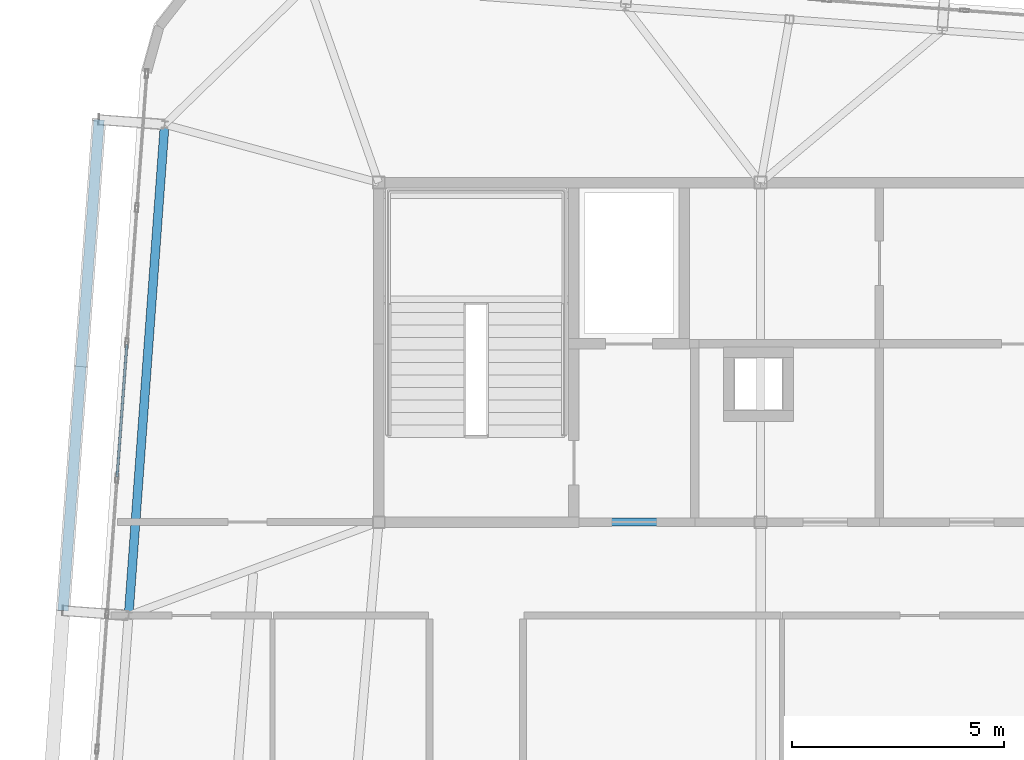
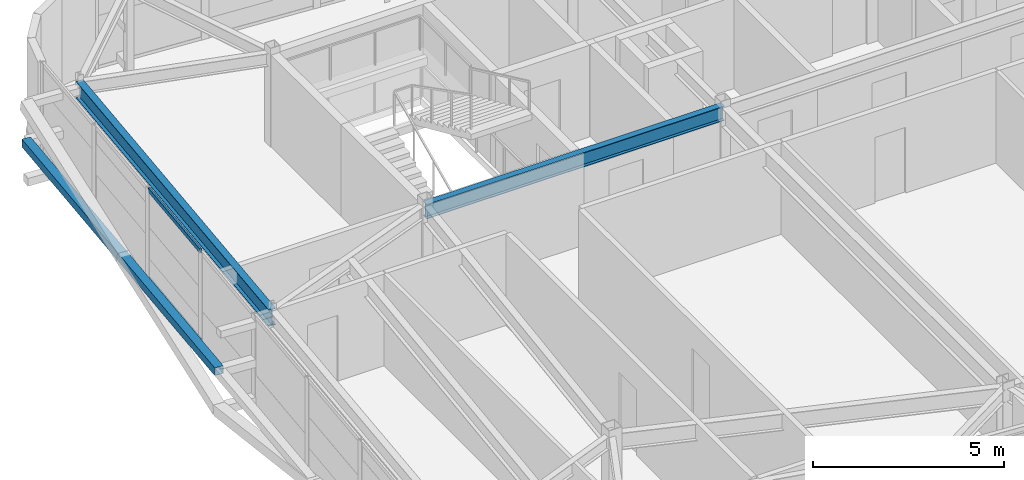
# One storey, part 16 of 42: 3 members, 2 beams, 1 element without a shape of its own.
"""IFC4 building model written with IfcOpenShell, lengths in metres."""

from ifc_helpers import new_model, si_unit, direction, frame, origin, origin_2d, place, context, subcontext, project, spatial, hollow_rectangle, i_section, extrude, source, transform, mapped, material, layer, layer_set, material_profile, profile_set, type_object, element, aggregate, save


model = new_model("IFC4")

# Units and contexts
model_context = context("Model", 3, precision=1e-05, world=origin(), true_north=direction((0.0, 1.0)))
body_context = subcontext(model_context, "Body", "Model", "MODEL_VIEW")
ifc_project = project(units=[si_unit("LENGTHUNIT", "METRE"), si_unit("AREAUNIT", "SQUARE_METRE"), si_unit("VOLUMEUNIT", "CUBIC_METRE"), si_unit("PLANEANGLEUNIT", "RADIAN"), si_unit("MASSUNIT", "GRAM", prefix="KILO")], contexts=[model_context])

# Site, building, storey
site_placement = place(None, origin())
site = spatial("IfcSite", under=ifc_project, at=site_placement, CompositionType="ELEMENT")
building_placement = place(site_placement, origin())
building = spatial("IfcBuilding", under=site, at=building_placement, Name="Taldren Reach Tower", CompositionType="ELEMENT")
storey_placement = place(building_placement, frame((0.0, 0.0, 214.550048828125)))
storey = spatial("IfcBuildingStorey", under=building, at=storey_placement, Name="L65", CompositionType="ELEMENT", Elevation=214.550048828125)

# Beams
ifc_material_1 = material(Name="Steel Gr 350 (350PLUS)", Category="steel")
ifc_material_profile_1 = material_profile(ifc_material_1, i_section(OverallWidth=0.19091796875, OverallDepth=0.4599609375, WebThickness=0.010009765625, FlangeThickness=0.01611328125, at=origin_2d()), Name="460UB82.1")
ifc_profile_set_1 = profile_set([ifc_material_profile_1], Name="Steel Gr 350 (350PLUS)")
beam_type_1 = type_object("IfcBeamType", Name="BM-UB460A", PredefinedType="BEAM", material=ifc_profile_set_1)
shared_shape_1 = source(origin(), body_context, "Body", "SweptSolid", [
    extrude(i_section(OverallWidth=0.19091796875, OverallDepth=0.4599609375, WebThickness=0.010009765625, FlangeThickness=0.01611328125, at=origin_2d()), origin(), (0.0, 0.0, 1.0), 9.0),
])
beam_1_placement = place(storey_placement, frame((19.0, 24.0, 2.699951171875), z_axis=(1.0, 0.0, 0.0), x_axis=(0.0, 1.0, 0.0)))
element("IfcBeam", 1, at=beam_1_placement, inside=storey, type_object=beam_type_1, Name="Core-spine girder L65-SP01", PredefinedType="BEAM", context=body_context, shape_type="MappedRepresentation", body=[
    mapped(shared_shape_1, transform((0.0, 0.0, 0.0), scale=1.0)),
])
ifc_material_profile_2 = material_profile(ifc_material_1, i_section(OverallWidth=0.208984375, OverallDepth=0.528076171875, WebThickness=0.009521484375, FlangeThickness=0.01318359375, at=origin_2d()), Name="530UB82.0")
ifc_profile_set_2 = profile_set([ifc_material_profile_2], Name="Steel Gr 350 (350PLUS)")
beam_type_2 = type_object("IfcBeamType", Name="SP-UB530B", PredefinedType="SPANDREL", material=ifc_profile_set_2)
shared_shape_2 = source(origin(), body_context, "Body", "SweptSolid", [
    extrude(i_section(OverallWidth=0.208984375, OverallDepth=0.528076171875, WebThickness=0.009521484375, FlangeThickness=0.01318359375, at=origin_2d()), origin(), (0.0, 0.0, 1.0), 11.60009765625),
])
beam_2_placement = place(storey_placement, frame((13.958251953125, 33.369140625, 2.666015625), z_axis=(-0.073242167855, -0.997314185625, 0.0), x_axis=(0.997314185625, -0.073242167855, 0.0)))
element("IfcBeam", 2, at=beam_2_placement, inside=storey, type_object=beam_type_2, Name="Perimeter spandrel B5 W3-W2 L65", PredefinedType="SPANDREL", context=body_context, shape_type="MappedRepresentation", body=[
    mapped(shared_shape_2, transform((0.0, 0.0, 0.0), scale=1.0)),
])

# Member
ifc_material_2 = material(Name="Steel Gr 350 (C350L0)", Category="steel")
ifc_material_profile_3 = material_profile(ifc_material_2, hollow_rectangle(XDim=0.25, YDim=0.25, WallThickness=0.010009765625, at=origin_2d()), Name="250x250x10.0SHS")
ifc_profile_set_3 = profile_set([ifc_material_profile_3], Name="Steel Gr 350 (C350L0)")
member_type_1 = type_object("IfcMemberType", Name="MB-POST250", PredefinedType="POST", material=ifc_profile_set_3)
shared_shape_3 = source(origin(), body_context, "Body", "SweptSolid", [
    extrude(hollow_rectangle(XDim=0.25, YDim=0.25, WallThickness=0.010009765625, at=origin_2d()), origin(), (0.0, 0.0, 1.0), 11.60009765625),
])
member_1_placement = place(storey_placement, frame((11.562744140625, 21.913818359375, 1.43505859375), z_axis=(0.073242167855, 0.997314185625, 0.0), x_axis=(-0.997314185625, 0.073242167855, 0.0)))
element("IfcMember", 3, at=member_1_placement, inside=storey, type_object=member_type_1, Name="Exoskeleton mid-height ring chord B5-W2 L65", PredefinedType="POST", context=body_context, shape_type="MappedRepresentation", body=[
    mapped(shared_shape_3, transform((0.0, 0.0, 0.0), scale=1.0)),
])

# Curtain wall, members
ifc_material_3 = material(Name="Aluminium and Low-E Glass Unitised System", Category="aluminium")
ifc_layer = layer(ifc_material_3, 0.159912109375)
ifc_layer_set = layer_set([ifc_layer], Name="Aluminium and Low-E Glass Unitised System")
curtain_wall_type = type_object("IfcCurtainWallType", Name="CW-SYS-6", PredefinedType="NOTDEFINED", material=ifc_layer_set)
curtain_wall_placement = place(storey_placement, origin())
curtain_wall = element("IfcCurtainWall", 4, at=curtain_wall_placement, inside=storey, type_object=curtain_wall_type, Name="Unitised curtain wall CW-L65-W", PredefinedType="NOTDEFINED")
ifc_material_4 = material(Name="Anodised Aluminium 6063-T6", Category="aluminium")
ifc_material_profile_4 = material_profile(ifc_material_4, hollow_rectangle(XDim=0.06005859375, YDim=0.135009765625, WallThickness=0.00341796875, at=origin_2d()), Name="ALU-135x60x3.5RHS")
ifc_profile_set_4 = profile_set([ifc_material_profile_4], Name="Anodised Aluminium 6063-T6")
member_type_2 = type_object("IfcMemberType", Name="CW-TRN-150", PredefinedType="USERDEFINED", material=ifc_profile_set_4)
shared_shape_4 = source(origin(), body_context, "Body", "SweptSolid", [
    extrude(hollow_rectangle(XDim=0.06005859375, YDim=0.135009765625, WallThickness=0.00341796875, at=origin_2d()), origin(), (0.0, 0.0, 1.0), 3.125),
])
member_2_placement = place(storey_placement, frame((13.06591796875, 28.18310546875, 0.030029296875), z_axis=(-0.073201175928, -0.997317195201, 0.0), x_axis=(0.997317195201, -0.073201175928, 0.0)))
member_2 = element("IfcMember", 5, at=member_2_placement, type_object=member_type_2, Name="CW-6 transom 3.1", ObjectType="TRANSOM", PredefinedType="USERDEFINED", context=body_context, shape_type="MappedRepresentation", body=[
    mapped(shared_shape_4, transform((0.0, 0.0, 0.0), scale=1.0)),
])
member_3_placement = place(storey_placement, frame((13.06591796875, 28.18310546875, 2.89990234375), z_axis=(-0.073201175928, -0.997317195201, 0.0), x_axis=(0.997317195201, -0.073201175928, 0.0)))
member_3 = element("IfcMember", 6, at=member_3_placement, type_object=member_type_2, Name="CW-6 transom 3.2", ObjectType="TRANSOM", PredefinedType="USERDEFINED", context=body_context, shape_type="MappedRepresentation", body=[
    mapped(shared_shape_4, transform((0.0, 0.0, 0.0), scale=1.0)),
])
aggregate(curtain_wall, [member_2, member_3])

save(model, "model.ifc")
